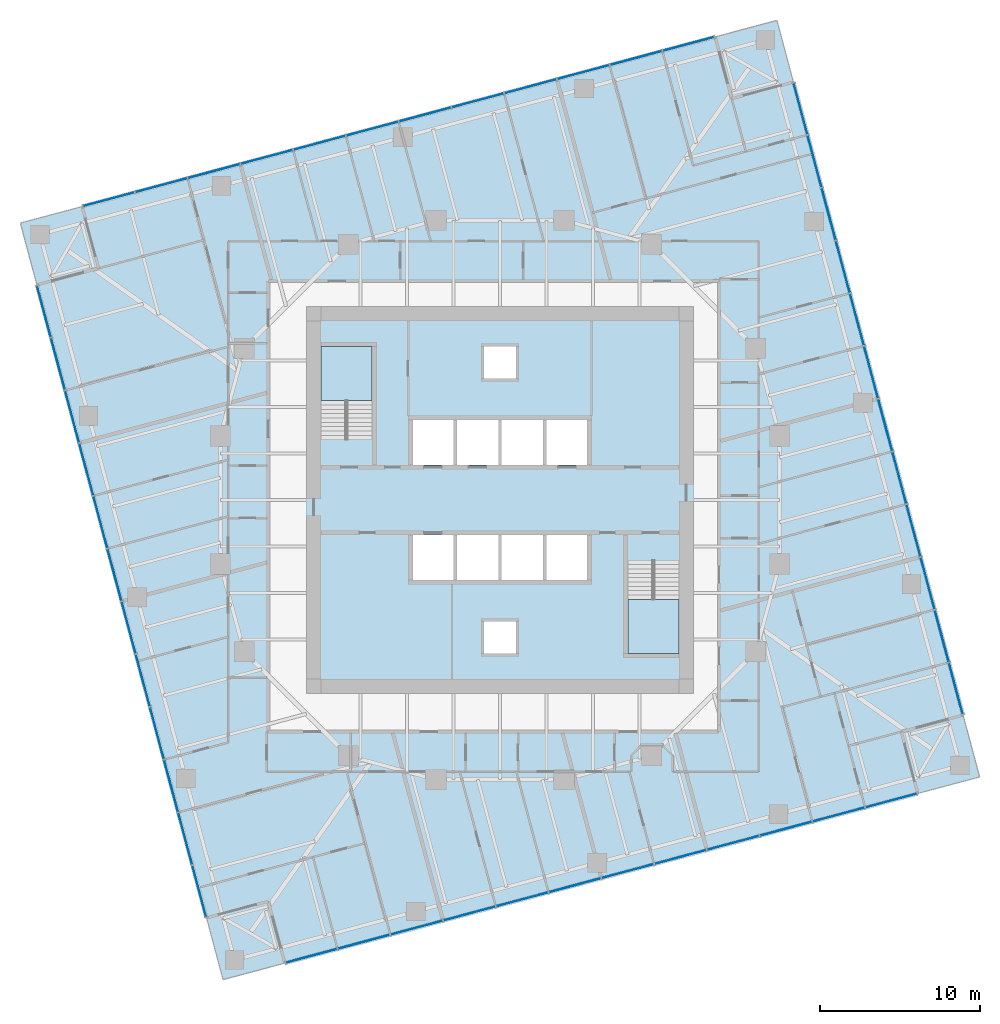
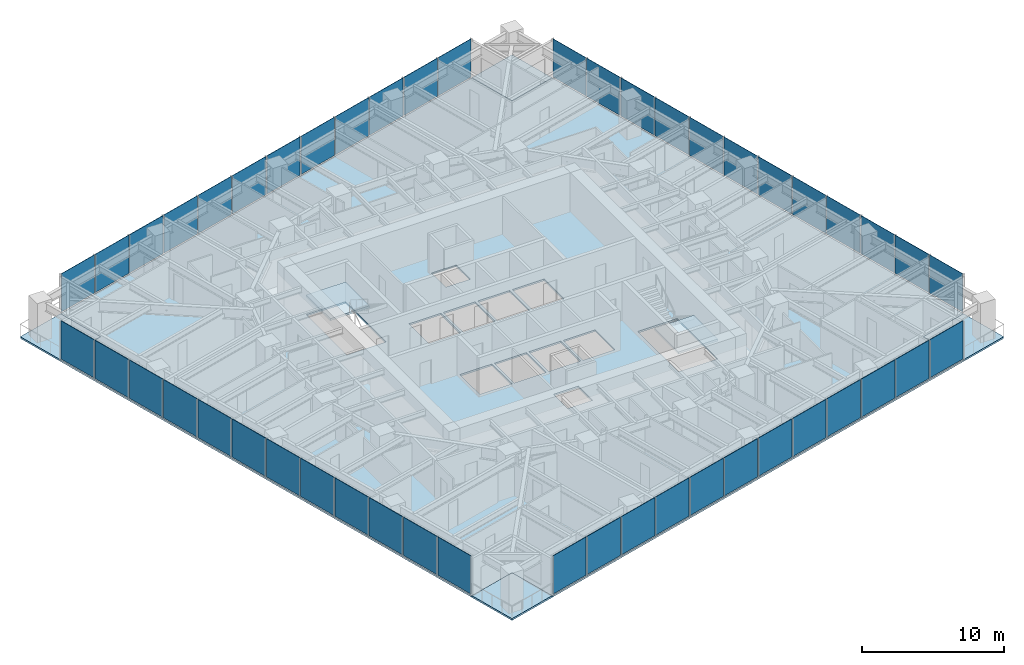
# One storey, part 7 of 14: 48 plates, 7 slabs, 6 elements without a shape of their own.
"""IFC4 building model written with IfcOpenShell, lengths in metres."""

from ifc_helpers import new_model, si_unit, direction, frame, origin, origin_2d, place, context, subcontext, project, spatial, polyline, rectangle, outline, extrude, material, layer, layer_set, type_object, element, aggregate, save


model = new_model("IFC4")

# Units and contexts
model_context = context("Model", 3, precision=1e-05, world=origin(), true_north=direction((0.0, 1.0)))
body_context = subcontext(model_context, "Body", "Model", "MODEL_VIEW")
ifc_project = project(units=[si_unit("LENGTHUNIT", "METRE"), si_unit("AREAUNIT", "SQUARE_METRE"), si_unit("VOLUMEUNIT", "CUBIC_METRE"), si_unit("PLANEANGLEUNIT", "RADIAN"), si_unit("MASSUNIT", "GRAM", prefix="KILO")], contexts=[model_context])

# Site, building, storey
site_placement = place(None, origin())
site = spatial("IfcSite", under=ifc_project, at=site_placement, CompositionType="ELEMENT")
building_placement = place(site_placement, origin())
building = spatial("IfcBuilding", under=site, at=building_placement, Name="Torsade Residences", CompositionType="ELEMENT")
storey_placement = place(building_placement, frame((0.0, 0.0, 121.800048828125)))
storey = spatial("IfcBuildingStorey", under=building, at=storey_placement, Name="L33", CompositionType="ELEMENT", Elevation=121.800048828125)

# Slab
ifc_material_1 = material(Name="Concrete 40 MPa", Category="concrete")
ifc_layer_1 = layer(ifc_material_1, 0.14990234375)
ifc_layer_set_1 = layer_set([ifc_layer_1], Name="Concrete 40 MPa")
slab_type_1 = type_object("IfcSlabType", Name="COMPOSITE FLOOR SLAB 150", PredefinedType="FLOOR", material=ifc_layer_set_1)
slab_1_placement = place(storey_placement, frame((0.0, 0.0, -0.150146484375)))
element("IfcSlab", 1, at=slab_1_placement, inside=storey, type_object=slab_type_1, Name="Floor slab L33", PredefinedType="FLOOR", context=body_context, shape_type="SweptSolid", body=[
    extrude(outline(polyline([(26.53955078125, 1.029052734375), (66.142578125, 11.640625), (65.107177734375, 15.50439453125), (68.970947265625, 16.53955078125), (58.359375, 56.142578125), (54.49560546875, 55.107177734375), (53.46044921875, 58.970947265625), (13.857421875, 48.359375), (14.892822265625, 44.49560546875), (11.029052734375, 43.46044921875), (21.640625, 3.857421875), (25.50439453125, 4.892822265625), (26.53955078125, 1.029052734375)]), holes=[polyline([(51.199951171875, 20.39990234375), (51.199951171875, 26.1201171875), (48.0, 26.1201171875), (48.0, 20.39990234375), (51.199951171875, 20.39990234375)]), polyline([(45.5, 27.800048828125), (42.89990234375, 27.800048828125), (42.89990234375, 25.0), (45.5, 25.0), (45.5, 27.800048828125)]), polyline([(45.5, 32.199951171875), (45.5, 35.0), (42.89990234375, 35.0), (42.89990234375, 32.199951171875), (45.5, 32.199951171875)]), polyline([(42.699951171875, 25.0), (42.699951171875, 27.800048828125), (40.10009765625, 27.800048828125), (40.10009765625, 25.0), (42.699951171875, 25.0)]), polyline([(42.699951171875, 32.199951171875), (42.699951171875, 35.0), (40.10009765625, 35.0), (40.10009765625, 32.199951171875), (42.699951171875, 32.199951171875)]), polyline([(41.0, 22.39990234375), (39.0, 22.39990234375), (39.0, 20.39990234375), (41.0, 20.39990234375), (41.0, 22.39990234375)]), polyline([(41.0, 37.60009765625), (41.0, 39.60009765625), (39.0, 39.60009765625), (39.0, 37.60009765625), (41.0, 37.60009765625)]), polyline([(39.89990234375, 25.0), (39.89990234375, 27.800048828125), (37.300048828125, 27.800048828125), (37.300048828125, 25.0), (39.89990234375, 25.0)]), polyline([(39.89990234375, 35.0), (37.300048828125, 35.0), (37.300048828125, 32.199951171875), (39.89990234375, 32.199951171875), (39.89990234375, 35.0)]), polyline([(37.10009765625, 27.800048828125), (34.5, 27.800048828125), (34.5, 25.0), (37.10009765625, 25.0), (37.10009765625, 27.800048828125)]), polyline([(37.10009765625, 32.199951171875), (37.10009765625, 35.0), (34.5, 35.0), (34.5, 32.199951171875), (37.10009765625, 32.199951171875)]), polyline([(32.0, 33.8798828125), (32.0, 39.60009765625), (28.800048828125, 39.60009765625), (28.800048828125, 33.8798828125), (32.0, 33.8798828125)])]), origin(), (0.0, 0.0, 1.0), 0.150146484375),
])

# Curtain wall, plates
ifc_material_2 = material(Name="Aluminium and glass", Category="aluminium")
curtain_wall_type = type_object("IfcCurtainWallType", Name="FRITTED GLASS CURTAIN WALL MID ZONE", PredefinedType="NOTDEFINED", material=ifc_material_2)
curtain_wall_1_placement = place(storey_placement, origin())
curtain_wall_1 = element("IfcCurtainWall", 2, at=curtain_wall_1_placement, inside=storey, type_object=curtain_wall_type, Name="Curtain wall L33 face 1", PredefinedType="NOTDEFINED")
ifc_material_3 = material(Name="Laminated glass", Category="glass")
ifc_layer_2 = layer(ifc_material_3, 0.031982421875)
ifc_layer_set_2 = layer_set([ifc_layer_2], Name="Laminated glass")
plate_type_1 = type_object("IfcPlateType", Name="FRITTED GLASS PANEL", PredefinedType="CURTAIN_PANEL", material=ifc_layer_set_2)
plate_1_placement = place(storey_placement, frame((28.208984375, 1.476318359375, 0.10986328125), z_axis=(0.0, 0.0, 1.0), x_axis=(0.965925825571, 0.258819047783, 0.0)))
plate_1 = element("IfcPlate", 3, at=plate_1_placement, type_object=plate_type_1, Name="Panel 1", PredefinedType="CURTAIN_PANEL", context=body_context, shape_type="SweptSolid", body=[
    extrude(rectangle(XDim=3.296630859375, YDim=0.031982421875, at=origin_2d()), origin(), (0.0, 0.0, 1.0), 3.2900390625),
])
plate_2_placement = place(storey_placement, frame((34.790283203125, 3.23974609375, 0.10986328125), z_axis=(0.0, 0.0, 1.0), x_axis=(0.965925825571, 0.258819047783, 0.0)))
plate_2 = element("IfcPlate", 4, at=plate_2_placement, type_object=plate_type_1, Name="Panel 3", PredefinedType="CURTAIN_PANEL", context=body_context, shape_type="SweptSolid", body=[
    extrude(rectangle(XDim=3.336669921875, YDim=0.031982421875, at=origin_2d()), origin(), (0.0, 0.0, 1.0), 3.2900390625),
])
plate_3_placement = place(storey_placement, frame((38.09033203125, 4.1240234375, 0.10986328125), z_axis=(0.0, 0.0, 1.0), x_axis=(0.965925825571, 0.258819047783, 0.0)))
plate_3 = element("IfcPlate", 5, at=plate_3_placement, type_object=plate_type_1, Name="Panel 4", PredefinedType="CURTAIN_PANEL", context=body_context, shape_type="SweptSolid", body=[
    extrude(rectangle(XDim=3.336669921875, YDim=0.031982421875, at=origin_2d()), origin(), (0.0, 0.0, 1.0), 3.2900390625),
])
plate_4_placement = place(storey_placement, frame((41.390625, 5.00830078125, 0.10986328125), z_axis=(0.0, 0.0, 1.0), x_axis=(0.965925825571, 0.258819047783, 0.0)))
plate_4 = element("IfcPlate", 6, at=plate_4_placement, type_object=plate_type_1, Name="Panel 5", PredefinedType="CURTAIN_PANEL", context=body_context, shape_type="SweptSolid", body=[
    extrude(rectangle(XDim=3.336669921875, YDim=0.031982421875, at=origin_2d()), origin(), (0.0, 0.0, 1.0), 3.2900390625),
])
plate_5_placement = place(storey_placement, frame((47.9912109375, 6.77685546875, 0.10986328125), z_axis=(0.0, 0.0, 1.0), x_axis=(0.965925825571, 0.258819047783, 0.0)))
plate_5 = element("IfcPlate", 7, at=plate_5_placement, type_object=plate_type_1, Name="Panel 7", PredefinedType="CURTAIN_PANEL", context=body_context, shape_type="SweptSolid", body=[
    extrude(rectangle(XDim=3.336669921875, YDim=0.031982421875, at=origin_2d()), origin(), (0.0, 0.0, 1.0), 3.2900390625),
])
plate_6_placement = place(storey_placement, frame((51.29150390625, 7.661376953125, 0.10986328125), z_axis=(0.0, 0.0, 1.0), x_axis=(0.965925825571, 0.258819047783, 0.0)))
plate_6 = element("IfcPlate", 8, at=plate_6_placement, type_object=plate_type_1, Name="Panel 8", PredefinedType="CURTAIN_PANEL", context=body_context, shape_type="SweptSolid", body=[
    extrude(rectangle(XDim=3.336669921875, YDim=0.031982421875, at=origin_2d()), origin(), (0.0, 0.0, 1.0), 3.2900390625),
])
plate_7_placement = place(storey_placement, frame((54.591796875, 8.545654296875, 0.10986328125), z_axis=(0.0, 0.0, 1.0), x_axis=(0.965925825571, 0.258819047783, 0.0)))
plate_7 = element("IfcPlate", 9, at=plate_7_placement, type_object=plate_type_1, Name="Panel 9", PredefinedType="CURTAIN_PANEL", context=body_context, shape_type="SweptSolid", body=[
    extrude(rectangle(XDim=3.336669921875, YDim=0.031982421875, at=origin_2d()), origin(), (0.0, 0.0, 1.0), 3.2900390625),
])
plate_8_placement = place(storey_placement, frame((61.192138671875, 10.314208984375, 0.10986328125), z_axis=(0.0, 0.0, 1.0), x_axis=(0.965925825571, 0.258819047783, 0.0)))
plate_8 = element("IfcPlate", 10, at=plate_8_placement, type_object=plate_type_1, Name="Panel 11", PredefinedType="CURTAIN_PANEL", context=body_context, shape_type="SweptSolid", body=[
    extrude(rectangle(XDim=3.336669921875, YDim=0.031982421875, at=origin_2d()), origin(), (0.0, 0.0, 1.0), 3.2900390625),
])
plate_9_placement = place(storey_placement, frame((64.47314453125, 11.193359375, 0.10986328125), z_axis=(0.0, 0.0, 1.0), x_axis=(0.965925825571, 0.258819047783, 0.0)))
plate_9 = element("IfcPlate", 11, at=plate_9_placement, type_object=plate_type_1, Name="Panel 12", PredefinedType="CURTAIN_PANEL", context=body_context, shape_type="SweptSolid", body=[
    extrude(rectangle(XDim=3.296630859375, YDim=0.031982421875, at=origin_2d()), origin(), (0.0, 0.0, 1.0), 3.2900390625),
])

curtain_wall_2_placement = place(storey_placement, origin())
curtain_wall_2 = element("IfcCurtainWall", 12, at=curtain_wall_2_placement, inside=storey, type_object=curtain_wall_type, Name="Curtain wall L33 face 4", PredefinedType="NOTDEFINED")
plate_10_placement = place(storey_placement, frame((68.523681640625, 18.208984375, 0.10986328125), z_axis=(0.0, 0.0, 1.0), x_axis=(-0.258819047783, 0.965925825571, 0.0)))
plate_10 = element("IfcPlate", 13, at=plate_10_placement, type_object=plate_type_1, Name="Panel 1", PredefinedType="CURTAIN_PANEL", context=body_context, shape_type="SweptSolid", body=[
    extrude(rectangle(XDim=3.296630859375, YDim=0.031982421875, at=origin_2d()), origin(), (0.0, 0.0, 1.0), 3.2900390625),
])
plate_11_placement = place(storey_placement, frame((66.76025390625, 24.790283203125, 0.10986328125), z_axis=(0.0, 0.0, 1.0), x_axis=(-0.258819047783, 0.965925825571, 0.0)))
plate_11 = element("IfcPlate", 14, at=plate_11_placement, type_object=plate_type_1, Name="Panel 3", PredefinedType="CURTAIN_PANEL", context=body_context, shape_type="SweptSolid", body=[
    extrude(rectangle(XDim=3.336669921875, YDim=0.031982421875, at=origin_2d()), origin(), (0.0, 0.0, 1.0), 3.2900390625),
])
plate_12_placement = place(storey_placement, frame((65.8759765625, 28.09033203125, 0.10986328125), z_axis=(0.0, 0.0, 1.0), x_axis=(-0.258819047783, 0.965925825571, 0.0)))
plate_12 = element("IfcPlate", 15, at=plate_12_placement, type_object=plate_type_1, Name="Panel 4", PredefinedType="CURTAIN_PANEL", context=body_context, shape_type="SweptSolid", body=[
    extrude(rectangle(XDim=3.336669921875, YDim=0.031982421875, at=origin_2d()), origin(), (0.0, 0.0, 1.0), 3.2900390625),
])
plate_13_placement = place(storey_placement, frame((64.99169921875, 31.390625, 0.10986328125), z_axis=(0.0, 0.0, 1.0), x_axis=(-0.258819047783, 0.965925825571, 0.0)))
plate_13 = element("IfcPlate", 16, at=plate_13_placement, type_object=plate_type_1, Name="Panel 5", PredefinedType="CURTAIN_PANEL", context=body_context, shape_type="SweptSolid", body=[
    extrude(rectangle(XDim=3.336669921875, YDim=0.031982421875, at=origin_2d()), origin(), (0.0, 0.0, 1.0), 3.2900390625),
])
plate_14_placement = place(storey_placement, frame((63.22314453125, 37.9912109375, 0.10986328125), z_axis=(0.0, 0.0, 1.0), x_axis=(-0.258819047783, 0.965925825571, 0.0)))
plate_14 = element("IfcPlate", 17, at=plate_14_placement, type_object=plate_type_1, Name="Panel 7", PredefinedType="CURTAIN_PANEL", context=body_context, shape_type="SweptSolid", body=[
    extrude(rectangle(XDim=3.336669921875, YDim=0.031982421875, at=origin_2d()), origin(), (0.0, 0.0, 1.0), 3.2900390625),
])
plate_15_placement = place(storey_placement, frame((62.338623046875, 41.29150390625, 0.10986328125), z_axis=(0.0, 0.0, 1.0), x_axis=(-0.258819047783, 0.965925825571, 0.0)))
plate_15 = element("IfcPlate", 18, at=plate_15_placement, type_object=plate_type_1, Name="Panel 8", PredefinedType="CURTAIN_PANEL", context=body_context, shape_type="SweptSolid", body=[
    extrude(rectangle(XDim=3.336669921875, YDim=0.031982421875, at=origin_2d()), origin(), (0.0, 0.0, 1.0), 3.2900390625),
])
plate_16_placement = place(storey_placement, frame((61.454345703125, 44.591796875, 0.10986328125), z_axis=(0.0, 0.0, 1.0), x_axis=(-0.258819047783, 0.965925825571, 0.0)))
plate_16 = element("IfcPlate", 19, at=plate_16_placement, type_object=plate_type_1, Name="Panel 9", PredefinedType="CURTAIN_PANEL", context=body_context, shape_type="SweptSolid", body=[
    extrude(rectangle(XDim=3.336669921875, YDim=0.031982421875, at=origin_2d()), origin(), (0.0, 0.0, 1.0), 3.2900390625),
])
plate_17_placement = place(storey_placement, frame((59.685791015625, 51.192138671875, 0.10986328125), z_axis=(0.0, 0.0, 1.0), x_axis=(-0.258819047783, 0.965925825571, 0.0)))
plate_17 = element("IfcPlate", 20, at=plate_17_placement, type_object=plate_type_1, Name="Panel 11", PredefinedType="CURTAIN_PANEL", context=body_context, shape_type="SweptSolid", body=[
    extrude(rectangle(XDim=3.336669921875, YDim=0.031982421875, at=origin_2d()), origin(), (0.0, 0.0, 1.0), 3.2900390625),
])
plate_18_placement = place(storey_placement, frame((58.806640625, 54.47314453125, 0.10986328125), z_axis=(0.0, 0.0, 1.0), x_axis=(-0.258819047783, 0.965925825571, 0.0)))
plate_18 = element("IfcPlate", 21, at=plate_18_placement, type_object=plate_type_1, Name="Panel 12", PredefinedType="CURTAIN_PANEL", context=body_context, shape_type="SweptSolid", body=[
    extrude(rectangle(XDim=3.296630859375, YDim=0.031982421875, at=origin_2d()), origin(), (0.0, 0.0, 1.0), 3.2900390625),
])

curtain_wall_3_placement = place(storey_placement, origin())
curtain_wall_3 = element("IfcCurtainWall", 22, at=curtain_wall_3_placement, inside=storey, type_object=curtain_wall_type, Name="Curtain wall L33 face 7", PredefinedType="NOTDEFINED")
plate_19_placement = place(storey_placement, frame((51.791015625, 58.523681640625, 0.10986328125), z_axis=(0.0, 0.0, 1.0), x_axis=(-0.965925825571, -0.258819047783, 0.0)))
plate_19 = element("IfcPlate", 23, at=plate_19_placement, type_object=plate_type_1, Name="Panel 1", PredefinedType="CURTAIN_PANEL", context=body_context, shape_type="SweptSolid", body=[
    extrude(rectangle(XDim=3.296630859375, YDim=0.031982421875, at=origin_2d()), origin(), (0.0, 0.0, 1.0), 3.2900390625),
])
plate_20_placement = place(storey_placement, frame((45.209716796875, 56.76025390625, 0.10986328125), z_axis=(0.0, 0.0, 1.0), x_axis=(-0.965925825571, -0.258819047783, 0.0)))
plate_20 = element("IfcPlate", 24, at=plate_20_placement, type_object=plate_type_1, Name="Panel 3", PredefinedType="CURTAIN_PANEL", context=body_context, shape_type="SweptSolid", body=[
    extrude(rectangle(XDim=3.336669921875, YDim=0.031982421875, at=origin_2d()), origin(), (0.0, 0.0, 1.0), 3.2900390625),
])
plate_21_placement = place(storey_placement, frame((41.90966796875, 55.8759765625, 0.10986328125), z_axis=(0.0, 0.0, 1.0), x_axis=(-0.965925825571, -0.258819047783, 0.0)))
plate_21 = element("IfcPlate", 25, at=plate_21_placement, type_object=plate_type_1, Name="Panel 4", PredefinedType="CURTAIN_PANEL", context=body_context, shape_type="SweptSolid", body=[
    extrude(rectangle(XDim=3.336669921875, YDim=0.031982421875, at=origin_2d()), origin(), (0.0, 0.0, 1.0), 3.2900390625),
])
plate_22_placement = place(storey_placement, frame((38.609375, 54.99169921875, 0.10986328125), z_axis=(0.0, 0.0, 1.0), x_axis=(-0.965925825571, -0.258819047783, 0.0)))
plate_22 = element("IfcPlate", 26, at=plate_22_placement, type_object=plate_type_1, Name="Panel 5", PredefinedType="CURTAIN_PANEL", context=body_context, shape_type="SweptSolid", body=[
    extrude(rectangle(XDim=3.336669921875, YDim=0.031982421875, at=origin_2d()), origin(), (0.0, 0.0, 1.0), 3.2900390625),
])
plate_23_placement = place(storey_placement, frame((32.0087890625, 53.22314453125, 0.10986328125), z_axis=(0.0, 0.0, 1.0), x_axis=(-0.965925825571, -0.258819047783, 0.0)))
plate_23 = element("IfcPlate", 27, at=plate_23_placement, type_object=plate_type_1, Name="Panel 7", PredefinedType="CURTAIN_PANEL", context=body_context, shape_type="SweptSolid", body=[
    extrude(rectangle(XDim=3.336669921875, YDim=0.031982421875, at=origin_2d()), origin(), (0.0, 0.0, 1.0), 3.2900390625),
])
plate_24_placement = place(storey_placement, frame((28.70849609375, 52.338623046875, 0.10986328125), z_axis=(0.0, 0.0, 1.0), x_axis=(-0.965925825571, -0.258819047783, 0.0)))
plate_24 = element("IfcPlate", 28, at=plate_24_placement, type_object=plate_type_1, Name="Panel 8", PredefinedType="CURTAIN_PANEL", context=body_context, shape_type="SweptSolid", body=[
    extrude(rectangle(XDim=3.336669921875, YDim=0.031982421875, at=origin_2d()), origin(), (0.0, 0.0, 1.0), 3.2900390625),
])
plate_25_placement = place(storey_placement, frame((25.408203125, 51.454345703125, 0.10986328125), z_axis=(0.0, 0.0, 1.0), x_axis=(-0.965925825571, -0.258819047783, 0.0)))
plate_25 = element("IfcPlate", 29, at=plate_25_placement, type_object=plate_type_1, Name="Panel 9", PredefinedType="CURTAIN_PANEL", context=body_context, shape_type="SweptSolid", body=[
    extrude(rectangle(XDim=3.336669921875, YDim=0.031982421875, at=origin_2d()), origin(), (0.0, 0.0, 1.0), 3.2900390625),
])
plate_26_placement = place(storey_placement, frame((18.807861328125, 49.685791015625, 0.10986328125), z_axis=(0.0, 0.0, 1.0), x_axis=(-0.965925825571, -0.258819047783, 0.0)))
plate_26 = element("IfcPlate", 30, at=plate_26_placement, type_object=plate_type_1, Name="Panel 11", PredefinedType="CURTAIN_PANEL", context=body_context, shape_type="SweptSolid", body=[
    extrude(rectangle(XDim=3.336669921875, YDim=0.031982421875, at=origin_2d()), origin(), (0.0, 0.0, 1.0), 3.2900390625),
])
plate_27_placement = place(storey_placement, frame((15.52685546875, 48.806640625, 0.10986328125), z_axis=(0.0, 0.0, 1.0), x_axis=(-0.965925825571, -0.258819047783, 0.0)))
plate_27 = element("IfcPlate", 31, at=plate_27_placement, type_object=plate_type_1, Name="Panel 12", PredefinedType="CURTAIN_PANEL", context=body_context, shape_type="SweptSolid", body=[
    extrude(rectangle(XDim=3.296630859375, YDim=0.031982421875, at=origin_2d()), origin(), (0.0, 0.0, 1.0), 3.2900390625),
])

curtain_wall_4_placement = place(storey_placement, origin())
curtain_wall_4 = element("IfcCurtainWall", 32, at=curtain_wall_4_placement, inside=storey, type_object=curtain_wall_type, Name="Curtain wall L33 face 10", PredefinedType="NOTDEFINED")
plate_28_placement = place(storey_placement, frame((11.476318359375, 41.791015625, 0.10986328125), z_axis=(0.0, 0.0, 1.0), x_axis=(0.258819047783, -0.965925825571, 0.0)))
plate_28 = element("IfcPlate", 33, at=plate_28_placement, type_object=plate_type_1, Name="Panel 1", PredefinedType="CURTAIN_PANEL", context=body_context, shape_type="SweptSolid", body=[
    extrude(rectangle(XDim=3.296630859375, YDim=0.031982421875, at=origin_2d()), origin(), (0.0, 0.0, 1.0), 3.2900390625),
])
plate_29_placement = place(storey_placement, frame((13.23974609375, 35.209716796875, 0.10986328125), z_axis=(0.0, 0.0, 1.0), x_axis=(0.258819047783, -0.965925825571, 0.0)))
plate_29 = element("IfcPlate", 34, at=plate_29_placement, type_object=plate_type_1, Name="Panel 3", PredefinedType="CURTAIN_PANEL", context=body_context, shape_type="SweptSolid", body=[
    extrude(rectangle(XDim=3.336669921875, YDim=0.031982421875, at=origin_2d()), origin(), (0.0, 0.0, 1.0), 3.2900390625),
])
plate_30_placement = place(storey_placement, frame((14.1240234375, 31.90966796875, 0.10986328125), z_axis=(0.0, 0.0, 1.0), x_axis=(0.258819047783, -0.965925825571, 0.0)))
plate_30 = element("IfcPlate", 35, at=plate_30_placement, type_object=plate_type_1, Name="Panel 4", PredefinedType="CURTAIN_PANEL", context=body_context, shape_type="SweptSolid", body=[
    extrude(rectangle(XDim=3.336669921875, YDim=0.031982421875, at=origin_2d()), origin(), (0.0, 0.0, 1.0), 3.2900390625),
])
plate_31_placement = place(storey_placement, frame((15.00830078125, 28.609375, 0.10986328125), z_axis=(0.0, 0.0, 1.0), x_axis=(0.258819047783, -0.965925825571, 0.0)))
plate_31 = element("IfcPlate", 36, at=plate_31_placement, type_object=plate_type_1, Name="Panel 5", PredefinedType="CURTAIN_PANEL", context=body_context, shape_type="SweptSolid", body=[
    extrude(rectangle(XDim=3.336669921875, YDim=0.031982421875, at=origin_2d()), origin(), (0.0, 0.0, 1.0), 3.2900390625),
])
plate_32_placement = place(storey_placement, frame((16.77685546875, 22.0087890625, 0.10986328125), z_axis=(0.0, 0.0, 1.0), x_axis=(0.258819047783, -0.965925825571, 0.0)))
plate_32 = element("IfcPlate", 37, at=plate_32_placement, type_object=plate_type_1, Name="Panel 7", PredefinedType="CURTAIN_PANEL", context=body_context, shape_type="SweptSolid", body=[
    extrude(rectangle(XDim=3.336669921875, YDim=0.031982421875, at=origin_2d()), origin(), (0.0, 0.0, 1.0), 3.2900390625),
])
plate_33_placement = place(storey_placement, frame((17.661376953125, 18.70849609375, 0.10986328125), z_axis=(0.0, 0.0, 1.0), x_axis=(0.258819047783, -0.965925825571, 0.0)))
plate_33 = element("IfcPlate", 38, at=plate_33_placement, type_object=plate_type_1, Name="Panel 8", PredefinedType="CURTAIN_PANEL", context=body_context, shape_type="SweptSolid", body=[
    extrude(rectangle(XDim=3.336669921875, YDim=0.031982421875, at=origin_2d()), origin(), (0.0, 0.0, 1.0), 3.2900390625),
])
plate_34_placement = place(storey_placement, frame((18.545654296875, 15.408203125, 0.10986328125), z_axis=(0.0, 0.0, 1.0), x_axis=(0.258819047783, -0.965925825571, 0.0)))
plate_34 = element("IfcPlate", 39, at=plate_34_placement, type_object=plate_type_1, Name="Panel 9", PredefinedType="CURTAIN_PANEL", context=body_context, shape_type="SweptSolid", body=[
    extrude(rectangle(XDim=3.336669921875, YDim=0.031982421875, at=origin_2d()), origin(), (0.0, 0.0, 1.0), 3.2900390625),
])
plate_35_placement = place(storey_placement, frame((20.314208984375, 8.807861328125, 0.10986328125), z_axis=(0.0, 0.0, 1.0), x_axis=(0.258819047783, -0.965925825571, 0.0)))
plate_35 = element("IfcPlate", 40, at=plate_35_placement, type_object=plate_type_1, Name="Panel 11", PredefinedType="CURTAIN_PANEL", context=body_context, shape_type="SweptSolid", body=[
    extrude(rectangle(XDim=3.336669921875, YDim=0.031982421875, at=origin_2d()), origin(), (0.0, 0.0, 1.0), 3.2900390625),
])
plate_36_placement = place(storey_placement, frame((21.193359375, 5.52685546875, 0.10986328125), z_axis=(0.0, 0.0, 1.0), x_axis=(0.258819047783, -0.965925825571, 0.0)))
plate_36 = element("IfcPlate", 41, at=plate_36_placement, type_object=plate_type_1, Name="Panel 12", PredefinedType="CURTAIN_PANEL", context=body_context, shape_type="SweptSolid", body=[
    extrude(rectangle(XDim=3.296630859375, YDim=0.031982421875, at=origin_2d()), origin(), (0.0, 0.0, 1.0), 3.2900390625),
])

# Plate
ifc_material_4 = material(Name="Laminated glass", Category="glass")
ifc_layer_3 = layer(ifc_material_4, 0.0400390625)
ifc_layer_set_3 = layer_set([ifc_layer_3], Name="Laminated glass")
plate_type_2 = type_object("IfcPlateType", Name="OPERABLE VENT PANEL", PredefinedType="CURTAIN_PANEL", material=ifc_layer_set_3)
plate_37_placement = place(storey_placement, frame((31.489990234375, 2.35546875, 0.10986328125), z_axis=(0.0, 0.0, 1.0), x_axis=(0.965925825571, 0.258819047783, 0.0)))
plate_37 = element("IfcPlate", 42, at=plate_37_placement, type_object=plate_type_2, Name="Panel 2", PredefinedType="CURTAIN_PANEL", context=body_context, shape_type="SweptSolid", body=[
    extrude(rectangle(XDim=3.336669921875, YDim=0.0400390625, at=origin_2d()), origin(), (0.0, 0.0, 1.0), 3.2900390625),
])

plate_38_placement = place(storey_placement, frame((44.69091796875, 5.892578125, 0.10986328125), z_axis=(0.0, 0.0, 1.0), x_axis=(0.965925825571, 0.258819047783, 0.0)))
plate_38 = element("IfcPlate", 43, at=plate_38_placement, type_object=plate_type_2, Name="Panel 6", PredefinedType="CURTAIN_PANEL", context=body_context, shape_type="SweptSolid", body=[
    extrude(rectangle(XDim=3.336669921875, YDim=0.0400390625, at=origin_2d()), origin(), (0.0, 0.0, 1.0), 3.2900390625),
])

plate_39_placement = place(storey_placement, frame((57.891845703125, 9.429931640625, 0.10986328125), z_axis=(0.0, 0.0, 1.0), x_axis=(0.965925825571, 0.258819047783, 0.0)))
plate_39 = element("IfcPlate", 44, at=plate_39_placement, type_object=plate_type_2, Name="Panel 10", PredefinedType="CURTAIN_PANEL", context=body_context, shape_type="SweptSolid", body=[
    extrude(rectangle(XDim=3.336669921875, YDim=0.0400390625, at=origin_2d()), origin(), (0.0, 0.0, 1.0), 3.2900390625),
])

aggregate(curtain_wall_1, [plate_1, plate_37, plate_2, plate_3, plate_4, plate_38, plate_5, plate_6, plate_7, plate_39, plate_8, plate_9])

plate_40_placement = place(storey_placement, frame((67.64453125, 21.489990234375, 0.10986328125), z_axis=(0.0, 0.0, 1.0), x_axis=(-0.258819047783, 0.965925825571, 0.0)))
plate_40 = element("IfcPlate", 45, at=plate_40_placement, type_object=plate_type_2, Name="Panel 2", PredefinedType="CURTAIN_PANEL", context=body_context, shape_type="SweptSolid", body=[
    extrude(rectangle(XDim=3.336669921875, YDim=0.0400390625, at=origin_2d()), origin(), (0.0, 0.0, 1.0), 3.2900390625),
])

plate_41_placement = place(storey_placement, frame((64.107421875, 34.69091796875, 0.10986328125), z_axis=(0.0, 0.0, 1.0), x_axis=(-0.258819047783, 0.965925825571, 0.0)))
plate_41 = element("IfcPlate", 46, at=plate_41_placement, type_object=plate_type_2, Name="Panel 6", PredefinedType="CURTAIN_PANEL", context=body_context, shape_type="SweptSolid", body=[
    extrude(rectangle(XDim=3.336669921875, YDim=0.0400390625, at=origin_2d()), origin(), (0.0, 0.0, 1.0), 3.2900390625),
])

plate_42_placement = place(storey_placement, frame((60.570068359375, 47.891845703125, 0.10986328125), z_axis=(0.0, 0.0, 1.0), x_axis=(-0.258819047783, 0.965925825571, 0.0)))
plate_42 = element("IfcPlate", 47, at=plate_42_placement, type_object=plate_type_2, Name="Panel 10", PredefinedType="CURTAIN_PANEL", context=body_context, shape_type="SweptSolid", body=[
    extrude(rectangle(XDim=3.336669921875, YDim=0.0400390625, at=origin_2d()), origin(), (0.0, 0.0, 1.0), 3.2900390625),
])

aggregate(curtain_wall_2, [plate_10, plate_40, plate_11, plate_12, plate_13, plate_41, plate_14, plate_15, plate_16, plate_42, plate_17, plate_18])

plate_43_placement = place(storey_placement, frame((48.510009765625, 57.64453125, 0.10986328125), z_axis=(0.0, 0.0, 1.0), x_axis=(-0.965925825571, -0.258819047783, 0.0)))
plate_43 = element("IfcPlate", 48, at=plate_43_placement, type_object=plate_type_2, Name="Panel 2", PredefinedType="CURTAIN_PANEL", context=body_context, shape_type="SweptSolid", body=[
    extrude(rectangle(XDim=3.336669921875, YDim=0.0400390625, at=origin_2d()), origin(), (0.0, 0.0, 1.0), 3.2900390625),
])

plate_44_placement = place(storey_placement, frame((35.30908203125, 54.107421875, 0.10986328125), z_axis=(0.0, 0.0, 1.0), x_axis=(-0.965925825571, -0.258819047783, 0.0)))
plate_44 = element("IfcPlate", 49, at=plate_44_placement, type_object=plate_type_2, Name="Panel 6", PredefinedType="CURTAIN_PANEL", context=body_context, shape_type="SweptSolid", body=[
    extrude(rectangle(XDim=3.336669921875, YDim=0.0400390625, at=origin_2d()), origin(), (0.0, 0.0, 1.0), 3.2900390625),
])

plate_45_placement = place(storey_placement, frame((22.108154296875, 50.570068359375, 0.10986328125), z_axis=(0.0, 0.0, 1.0), x_axis=(-0.965925825571, -0.258819047783, 0.0)))
plate_45 = element("IfcPlate", 50, at=plate_45_placement, type_object=plate_type_2, Name="Panel 10", PredefinedType="CURTAIN_PANEL", context=body_context, shape_type="SweptSolid", body=[
    extrude(rectangle(XDim=3.336669921875, YDim=0.0400390625, at=origin_2d()), origin(), (0.0, 0.0, 1.0), 3.2900390625),
])

aggregate(curtain_wall_3, [plate_19, plate_43, plate_20, plate_21, plate_22, plate_44, plate_23, plate_24, plate_25, plate_45, plate_26, plate_27])

plate_46_placement = place(storey_placement, frame((12.35546875, 38.510009765625, 0.10986328125), z_axis=(0.0, 0.0, 1.0), x_axis=(0.258819047783, -0.965925825571, 0.0)))
plate_46 = element("IfcPlate", 51, at=plate_46_placement, type_object=plate_type_2, Name="Panel 2", PredefinedType="CURTAIN_PANEL", context=body_context, shape_type="SweptSolid", body=[
    extrude(rectangle(XDim=3.336669921875, YDim=0.0400390625, at=origin_2d()), origin(), (0.0, 0.0, 1.0), 3.2900390625),
])

plate_47_placement = place(storey_placement, frame((15.892578125, 25.30908203125, 0.10986328125), z_axis=(0.0, 0.0, 1.0), x_axis=(0.258819047783, -0.965925825571, 0.0)))
plate_47 = element("IfcPlate", 52, at=plate_47_placement, type_object=plate_type_2, Name="Panel 6", PredefinedType="CURTAIN_PANEL", context=body_context, shape_type="SweptSolid", body=[
    extrude(rectangle(XDim=3.336669921875, YDim=0.0400390625, at=origin_2d()), origin(), (0.0, 0.0, 1.0), 3.2900390625),
])

plate_48_placement = place(storey_placement, frame((19.429931640625, 12.108154296875, 0.10986328125), z_axis=(0.0, 0.0, 1.0), x_axis=(0.258819047783, -0.965925825571, 0.0)))
plate_48 = element("IfcPlate", 53, at=plate_48_placement, type_object=plate_type_2, Name="Panel 10", PredefinedType="CURTAIN_PANEL", context=body_context, shape_type="SweptSolid", body=[
    extrude(rectangle(XDim=3.336669921875, YDim=0.0400390625, at=origin_2d()), origin(), (0.0, 0.0, 1.0), 3.2900390625),
])

aggregate(curtain_wall_4, [plate_28, plate_46, plate_29, plate_30, plate_31, plate_47, plate_32, plate_33, plate_34, plate_48, plate_35, plate_36])

# Stair, slab
ifc_material_5 = material(Name="Precast concrete 40 MPa", Category="concrete")
stair_type = type_object("IfcStairType", Name="HALF-TURN FIRE STAIR 1500x3400", PredefinedType="HALF_TURN_STAIR", material=ifc_material_5)
stair_1_placement = place(storey_placement, origin())
stair_1 = element("IfcStair", 54, at=stair_1_placement, inside=storey, type_object=stair_type, Name="Stair ST1 L33", PredefinedType="HALF_TURN_STAIR")
ifc_material_6 = material(Name="Precast concrete 40 MPa", Category="concrete")
ifc_layer_4 = layer(ifc_material_6, 0.179931640625)
ifc_layer_set_4 = layer_set([ifc_layer_4], Name="Precast concrete 40 MPa")
slab_type_2 = type_object("IfcSlabType", Name="PRECAST STAIR LANDING 180", PredefinedType="LANDING", material=ifc_layer_set_4)
slab_2_placement = place(storey_placement, frame((0.0, 0.0, 1.52001953125)))
slab_2 = element("IfcSlab", 55, at=slab_2_placement, type_object=slab_type_2, Name="ST1 landing 1", PredefinedType="LANDING", context=body_context, shape_type="SweptSolid", body=[
    extrude(outline(polyline([(28.800048828125, 36.2099609375), (32.0, 36.2099609375), (32.0, 39.60009765625), (28.800048828125, 39.60009765625), (28.800048828125, 36.2099609375)])), origin(), (0.0, 0.0, 1.0), 0.179931640625),
])
aggregate(stair_1, [slab_2])

stair_2_placement = place(storey_placement, origin())
stair_2 = element("IfcStair", 56, at=stair_2_placement, inside=storey, type_object=stair_type, Name="Stair ST2 L33", PredefinedType="HALF_TURN_STAIR")
slab_3_placement = place(storey_placement, frame((0.0, 0.0, 1.52001953125)))
slab_3 = element("IfcSlab", 57, at=slab_3_placement, type_object=slab_type_2, Name="ST2 landing 1", PredefinedType="LANDING", context=body_context, shape_type="SweptSolid", body=[
    extrude(outline(polyline([(48.0, 20.39990234375), (51.199951171875, 20.39990234375), (51.199951171875, 23.7900390625), (48.0, 23.7900390625), (48.0, 20.39990234375)])), origin(), (0.0, 0.0, 1.0), 0.179931640625),
])
aggregate(stair_2, [slab_3])

# Slabs
ifc_material_7 = material(Name="Concrete 40 MPa", Category="concrete")
ifc_layer_5 = layer(ifc_material_7, 0.14990234375)
ifc_layer_set_5 = layer_set([ifc_layer_5], Name="Concrete 40 MPa")
slab_type_3 = type_object("IfcSlabType", Name="TERRACE SLAB 150", PredefinedType="FLOOR", material=ifc_layer_set_5)
slab_4_placement = place(storey_placement, frame((0.0, 0.0, -0.150146484375)))
element("IfcSlab", 58, at=slab_4_placement, inside=storey, type_object=slab_type_3, Name="Corner terrace slab SE L33", PredefinedType="FLOOR", context=body_context, shape_type="SweptSolid", body=[
    extrude(outline(polyline([(66.142578125, 11.640625), (70.00634765625, 12.67578125), (68.970947265625, 16.53955078125), (65.107177734375, 15.50439453125), (66.142578125, 11.640625)])), origin(), (0.0, 0.0, 1.0), 0.150146484375),
])
slab_5_placement = place(storey_placement, frame((0.0, 0.0, -0.150146484375)))
element("IfcSlab", 59, at=slab_5_placement, inside=storey, type_object=slab_type_3, Name="Corner terrace slab NE L33", PredefinedType="FLOOR", context=body_context, shape_type="SweptSolid", body=[
    extrude(outline(polyline([(54.49560546875, 55.107177734375), (58.359375, 56.142578125), (57.32421875, 60.00634765625), (53.46044921875, 58.970947265625), (54.49560546875, 55.107177734375)])), origin(), (0.0, 0.0, 1.0), 0.150146484375),
])
slab_6_placement = place(storey_placement, frame((0.0, 0.0, -0.150146484375)))
element("IfcSlab", 60, at=slab_6_placement, inside=storey, type_object=slab_type_3, Name="Corner terrace slab NW L33", PredefinedType="FLOOR", context=body_context, shape_type="SweptSolid", body=[
    extrude(outline(polyline([(11.029052734375, 43.46044921875), (14.892822265625, 44.49560546875), (13.857421875, 48.359375), (9.99365234375, 47.32421875), (11.029052734375, 43.46044921875)])), origin(), (0.0, 0.0, 1.0), 0.150146484375),
])
slab_7_placement = place(storey_placement, frame((0.0, 0.0, -0.150146484375)))
element("IfcSlab", 61, at=slab_7_placement, inside=storey, type_object=slab_type_3, Name="Corner terrace slab SW L33", PredefinedType="FLOOR", context=body_context, shape_type="SweptSolid", body=[
    extrude(outline(polyline([(22.67578125, -0.00634765625), (26.53955078125, 1.029052734375), (25.50439453125, 4.892822265625), (21.640625, 3.857421875), (22.67578125, -0.00634765625)])), origin(), (0.0, 0.0, 1.0), 0.150146484375),
])

save(model, "model.ifc")
